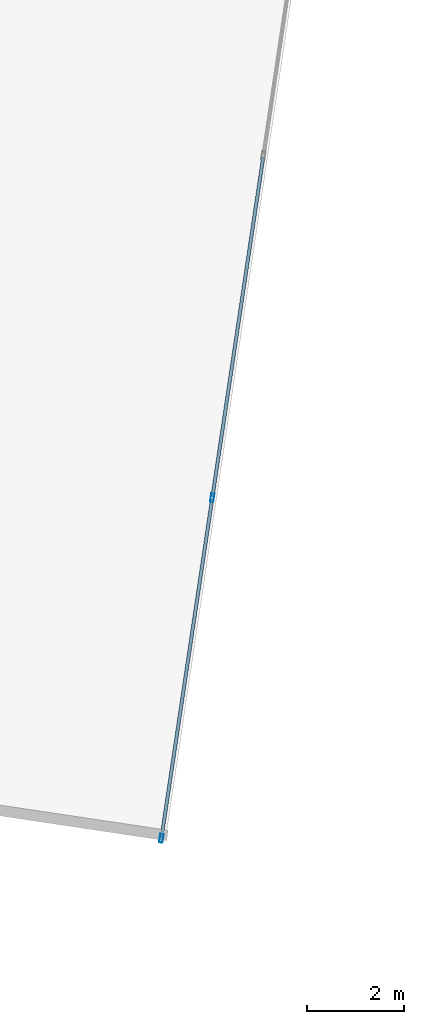
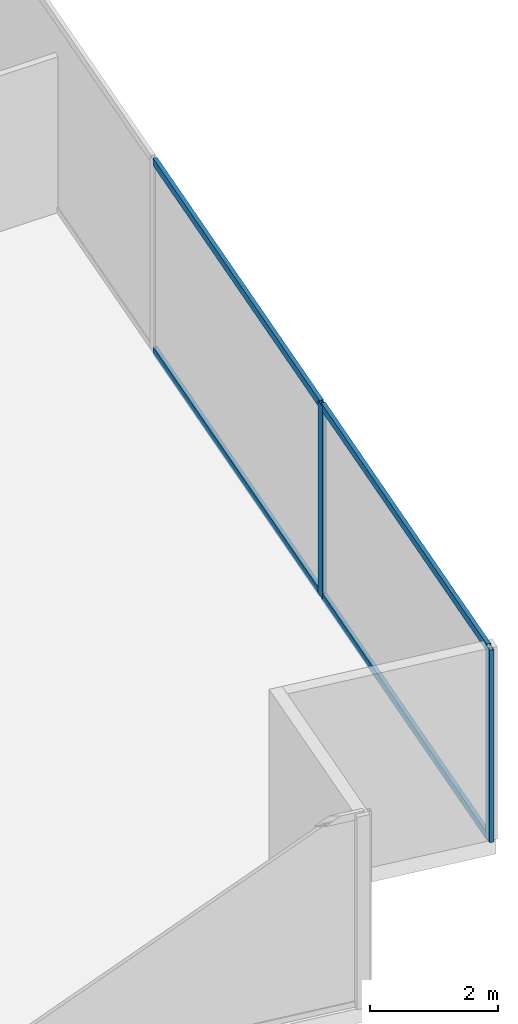
# One storey, part 12 of 29: 6 members, 1 element without a shape of its own.
"""IFC4 building model written with IfcOpenShell, lengths in metres."""

from ifc_helpers import new_model, si_unit, direction, frame, origin, origin_2d, place, context, subcontext, project, spatial, hollow_rectangle, extrude, source, transform, mapped, material, material_profile, profile_set, type_object, type_shapes, element, aggregate, save


model = new_model("IFC4")

# Units and contexts
model_context = context("Model", 3, precision=1e-05, world=origin(), true_north=direction((0.0, 1.0)))
body_context = subcontext(model_context, "Body", "Model", "MODEL_VIEW")
ifc_project = project(units=[si_unit("LENGTHUNIT", "METRE"), si_unit("AREAUNIT", "SQUARE_METRE"), si_unit("VOLUMEUNIT", "CUBIC_METRE"), si_unit("PLANEANGLEUNIT", "RADIAN"), si_unit("MASSUNIT", "GRAM", prefix="KILO")], contexts=[model_context])

# Site, building, storey
site_placement = place(None, origin())
site = spatial("IfcSite", under=ifc_project, at=site_placement, CompositionType="ELEMENT")
building_placement = place(site_placement, origin())
building = spatial("IfcBuilding", under=site, at=building_placement, Name="Krantzveldt Concourse Tower", CompositionType="ELEMENT")
storey_placement = place(building_placement, frame((0.0, 0.0, 72.39990234375)))
storey = spatial("IfcBuildingStorey", under=building, at=storey_placement, Name="L17", CompositionType="ELEMENT", Elevation=72.39990234375)

# Curtain wall, members
ifc_material = material(Name="Anodised aluminium 6063-T6", Category="aluminium")
curtain_wall_type = type_object("IfcCurtainWallType", Name="CW2", PredefinedType="USERDEFINED", material=ifc_material)
curtain_wall_placement = place(storey_placement, origin())
curtain_wall = element("IfcCurtainWall", 1, at=curtain_wall_placement, inside=storey, type_object=curtain_wall_type, Name="CW-L17-F07", ObjectType="UNITISED CURTAIN WALL", PredefinedType="USERDEFINED")
ifc_material_profile_1 = material_profile(ifc_material, hollow_rectangle(XDim=0.070068359375, YDim=0.139892578125, WallThickness=0.0048828125, at=origin_2d()), Name="Anodised aluminium 6063-T6", Category="aluminium")
ifc_profile_set_1 = profile_set([ifc_material_profile_1], Name="Anodised aluminium 6063-T6 - ALU-TRAN 140x70x5")
member_type_1 = type_object("IfcMemberType", Name="CW-TRN-150", PredefinedType="USERDEFINED", material=ifc_profile_set_1)
shared_shape_1 = source(origin(), body_context, "Body", "SweptSolid", [
    extrude(hollow_rectangle(XDim=0.070068359375, YDim=0.139892578125, WallThickness=0.0048828125, at=origin_2d()), origin(), (0.0, 0.0, 1.0), 7.0966796875),
])
member_1_placement = place(storey_placement, frame((58.52294921875, 8.876708984375, 0.03515625), z_axis=(0.147823987056, 0.989013684865, 0.0), x_axis=(-0.989013684865, 0.147823987056, 0.0)))
member_1 = element("IfcMember", 2, at=member_1_placement, type_object=member_type_1, Name="CW-Z12 transom 2.1", ObjectType="TRANSOM", PredefinedType="USERDEFINED", context=body_context, shape_type="MappedRepresentation", body=[
    mapped(shared_shape_1, transform((0.0, 0.0, 0.0), x_axis=(1.0, 0.0, 0.0), y_axis=(0.0, 1.0, 0.0), z_axis=(0.0, 0.0, 1.0), scale=1.0)),
])
member_2_placement = place(storey_placement, frame((58.52294921875, 8.876708984375, 3.635009765625), z_axis=(0.147823987056, 0.989013684865, 0.0), x_axis=(-0.989013684865, 0.147823987056, 0.0)))
member_2 = element("IfcMember", 3, at=member_2_placement, type_object=member_type_1, Name="CW-Z12 transom 2.2", ObjectType="TRANSOM", PredefinedType="USERDEFINED", context=body_context, shape_type="MappedRepresentation", body=[
    mapped(shared_shape_1, transform((0.0, 0.0, 0.0), x_axis=(1.0, 0.0, 0.0), y_axis=(0.0, 1.0, 0.0), z_axis=(0.0, 0.0, 1.0), scale=1.0)),
])
shared_shape_2 = source(origin(), body_context, "Body", "SweptSolid", [
    extrude(hollow_rectangle(XDim=0.070068359375, YDim=0.139892578125, WallThickness=0.0048828125, at=origin_2d()), origin(), (0.0, 0.0, 1.0), 7.061767578125),
])
type_shapes(member_type_1, [shared_shape_1, shared_shape_2])
member_3_placement = place(storey_placement, frame((57.46875, 1.823486328125, 0.03515625), z_axis=(0.147831568187, 0.989012551714, 0.0), x_axis=(-0.989012551714, 0.147831568187, 0.0)))
member_3 = element("IfcMember", 4, at=member_3_placement, type_object=member_type_1, Name="CW-Z12 transom 1.1", ObjectType="TRANSOM", PredefinedType="USERDEFINED", context=body_context, shape_type="MappedRepresentation", body=[
    mapped(shared_shape_2, transform((0.0, 0.0, 0.0), x_axis=(1.0, 0.0, 0.0), y_axis=(0.0, 1.0, 0.0), z_axis=(0.0, 0.0, 1.0), scale=1.0)),
])
member_4_placement = place(storey_placement, frame((57.46875, 1.823486328125, 3.635009765625), z_axis=(0.147831568187, 0.989012551714, 0.0), x_axis=(-0.989012551714, 0.147831568187, 0.0)))
member_4 = element("IfcMember", 5, at=member_4_placement, type_object=member_type_1, Name="CW-Z12 transom 1.2", ObjectType="TRANSOM", PredefinedType="USERDEFINED", context=body_context, shape_type="MappedRepresentation", body=[
    mapped(shared_shape_2, transform((0.0, 0.0, 0.0), x_axis=(1.0, 0.0, 0.0), y_axis=(0.0, 1.0, 0.0), z_axis=(0.0, 0.0, 1.0), scale=1.0)),
])
ifc_material_profile_2 = material_profile(ifc_material, hollow_rectangle(XDim=0.070068359375, YDim=0.179931640625, WallThickness=0.0048828125, at=origin_2d()), Name="Anodised aluminium 6063-T6", Category="aluminium")
ifc_profile_set_2 = profile_set([ifc_material_profile_2], Name="Anodised aluminium 6063-T6 - ALU-MULL 180x70x5")
member_type_2 = type_object("IfcMemberType", Name="CW-MUL-180", PredefinedType="MULLION", material=ifc_profile_set_2)
shared_shape_3 = source(origin(), body_context, "Body", "SweptSolid", [
    extrude(hollow_rectangle(XDim=0.070068359375, YDim=0.179931640625, WallThickness=0.0048828125, at=origin_2d()), origin(), (0.0, 0.0, 1.0), 3.670166015625),
])
type_shapes(member_type_2, [shared_shape_3])
member_5_placement = place(storey_placement, frame((57.463623046875, 1.788818359375, 0.0), z_axis=(0.0, 0.0, 1.0), x_axis=(-0.989015849271, 0.147809505412, 0.0)))
member_5 = element("IfcMember", 6, at=member_5_placement, type_object=member_type_2, Name="CW-Z12 mullion 1", PredefinedType="MULLION", context=body_context, shape_type="MappedRepresentation", body=[
    mapped(shared_shape_3, transform((0.0, 0.0, 0.0), x_axis=(1.0, 0.0, 0.0), y_axis=(0.0, 1.0, 0.0), z_axis=(0.0, 0.0, 1.0), scale=1.0)),
])
member_6_placement = place(storey_placement, frame((58.517822265625, 8.84228515625, 0.0), z_axis=(0.0, 0.0, 1.0), x_axis=(-0.989015849271, 0.147809505412, 0.0)))
member_6 = element("IfcMember", 7, at=member_6_placement, type_object=member_type_2, Name="CW-Z12 mullion 2", PredefinedType="MULLION", context=body_context, shape_type="MappedRepresentation", body=[
    mapped(shared_shape_3, transform((0.0, 0.0, 0.0), x_axis=(1.0, 0.0, 0.0), y_axis=(0.0, 1.0, 0.0), z_axis=(0.0, 0.0, 1.0), scale=1.0)),
])
aggregate(curtain_wall, [member_5, member_6, member_3, member_4, member_1, member_2])

save(model, "model.ifc")
